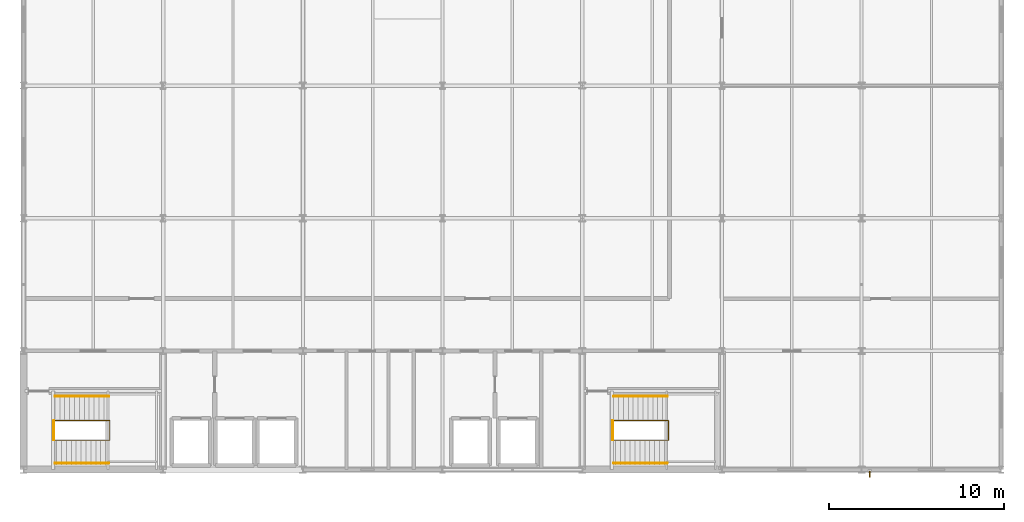
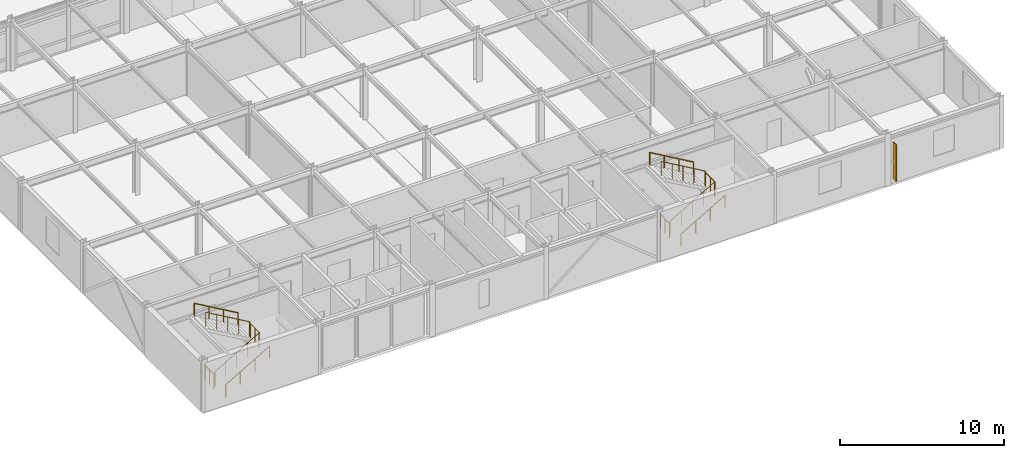
# One storey, part 16 of 17: 8 railings, 1 shading device.
"""IFC4 building model written with IfcOpenShell, lengths in metres."""

import ifcopenshell
import ifcopenshell.guid

model = None  # the IFC model being written
_history = None  # IfcOwnerHistory: only IFC2X3 demands one
_inside = {}  # id of a spatial element -> (the spatial element, [elements in it])
_under = {}  # id of a project, library or spatial element -> (it, [spatial elements below it])
_declared = {}  # id of a project -> (the project, [libraries it declares])
_typed = {}  # id of a type object -> (the type object, [elements of that type])
_made_of = {}  # id of a material, layer set ... -> (it, [elements and type objects made of it])


def new_model(schema):
    """Start an empty IFC model of exactly this schema.

    Asked for "IFC4X3", IfcOpenShell would pick the latest addendum, in which some entities
    have other attributes; the version numbers below select the first issue.
    IFC2X3 requires an IfcOwnerHistory on every rooted entity: one is made here for all.
    """
    global model, _history
    if schema == "IFC4X3":
        model = ifcopenshell.file(schema_version=(4, 3, 0, 0))
    else:
        model = ifcopenshell.file(schema=schema)
    _inside.clear()
    _under.clear()
    _declared.clear()
    _typed.clear()
    _made_of.clear()
    _history = None
    if model.schema == "IFC2X3":
        org = make("IfcOrganization", Name="unknown")
        user = make(
            "IfcPersonAndOrganization",
            ThePerson=make("IfcPerson", FamilyName="unknown"),
            TheOrganization=org,
        )
        app = make(
            "IfcApplication",
            ApplicationDeveloper=org,
            Version="unknown",
            ApplicationFullName="unknown",
            ApplicationIdentifier="unknown",
        )
        _history = make(
            "IfcOwnerHistory",
            OwningUser=user,
            OwningApplication=app,
            ChangeAction="ADDED",
            CreationDate=0,
        )
    return model


def make(cls, **values):
    """One entity of the class cls with the attributes given. An attribute that is None is left unset."""
    return model.create_entity(
        cls, **{name: value for name, value in values.items() if value is not None}
    )


def rooted(cls, **values):
    """An entity with a GlobalId (a new one), such as an element, a storey or a relation."""
    return make(cls, GlobalId=ifcopenshell.guid.new(), OwnerHistory=_history, **values)


def si_unit(unit_type, name, prefix=None):
    """IfcSIUnit, for example si_unit("LENGTHUNIT", "METRE", prefix="MILLI")."""
    return make("IfcSIUnit", UnitType=unit_type, Prefix=prefix, Name=name)


def assignment(units):
    """IfcUnitAssignment: the units of a project."""
    return None if units is None else make("IfcUnitAssignment", Units=units)


def point(xyz):
    """IfcCartesianPoint."""
    return None if xyz is None else make("IfcCartesianPoint", Coordinates=xyz)


def direction(xyz):
    """IfcDirection."""
    return None if xyz is None else make("IfcDirection", DirectionRatios=xyz)


def frame(location, z_axis=None, x_axis=None):
    """IfcAxis2Placement3D, a coordinate frame: its origin and axes. An axis left out is left unset."""
    return make(
        "IfcAxis2Placement3D",
        Location=point(location),
        Axis=direction(z_axis),
        RefDirection=direction(x_axis),
    )


def frame_2d(location, x_axis=None):
    """IfcAxis2Placement2D, a coordinate frame in the plane: its origin and x axis."""
    return make(
        "IfcAxis2Placement2D", Location=point(location), RefDirection=direction(x_axis)
    )


def origin():
    """The frame at (0, 0, 0) with its axes left unset."""
    return frame((0.0, 0.0, 0.0))


def origin_2d():
    """The frame at (0, 0) in the plane with its x axis left unset."""
    return frame_2d((0.0, 0.0))


def place(relative_to, where):
    """IfcLocalPlacement: puts the frame where relative to a parent placement (None: the world)."""
    return make(
        "IfcLocalPlacement", PlacementRelTo=relative_to, RelativePlacement=where
    )


def context(
    kind, dimensions, precision=None, world=None, true_north=None, identifier=None
):
    """IfcGeometricRepresentationContext, for example the 3D "Model" context."""
    return make(
        "IfcGeometricRepresentationContext",
        ContextIdentifier=identifier,
        ContextType=kind,
        CoordinateSpaceDimension=dimensions,
        Precision=precision,
        WorldCoordinateSystem=world,
        TrueNorth=true_north,
    )


def subcontext(parent, identifier, kind, view, scale=None):
    """IfcGeometricRepresentationSubContext, for example "Body" below "Model"."""
    return make(
        "IfcGeometricRepresentationSubContext",
        ContextIdentifier=identifier,
        ContextType=kind,
        ParentContext=parent,
        TargetScale=scale,
        TargetView=view,
    )


def project(units=None, contexts=None):
    """IfcProject with its units and contexts."""
    return rooted(
        "IfcProject",
        Name="project",
        RepresentationContexts=contexts,
        UnitsInContext=assignment(units),
    )


def spatial(cls, under=None, at=None, **own):
    """A site, building, storey or space (cls), placed at a placement, below another one or the project."""
    s = rooted(cls, ObjectPlacement=at, **own)
    if under is not None:
        _under.setdefault(under.id(), (under, []))[1].append(s)
    return s


def profile(cls, at=None, kind="AREA", **sizes):
    """A parametric profile (cls). Its sizes go by their IFC names, for example OverallWidth=200.0."""
    return make(cls, ProfileType=kind, Position=at, **sizes)


def rectangle(**sizes):
    """IfcRectangleProfileDef."""
    return profile("IfcRectangleProfileDef", **sizes)


def circle(**sizes):
    """IfcCircleProfileDef."""
    return profile("IfcCircleProfileDef", **sizes)


def extrude(swept, where, along, depth):
    """IfcExtrudedAreaSolid: the profile swept, set in the frame where, extruded along a direction by depth."""
    return make(
        "IfcExtrudedAreaSolid",
        SweptArea=swept,
        Position=where,
        ExtrudedDirection=direction(along),
        Depth=depth,
    )


def shape(context_of_items, identifier, shape_type, items):
    """IfcShapeRepresentation: the items that make up one representation, for example the "Body"."""
    return make(
        "IfcShapeRepresentation",
        ContextOfItems=context_of_items,
        RepresentationIdentifier=identifier,
        RepresentationType=shape_type,
        Items=items,
    )


def material(Name=None, Category=None):
    """IfcMaterial."""
    return make("IfcMaterial", Name=Name, Category=Category)


def layer(
    of_material, thickness, ventilated=None, Name=None, Category=None, Priority=None
):
    """IfcMaterialLayer: one layer of a wall or slab, of a material (None: an air gap)."""
    return make(
        "IfcMaterialLayer",
        Material=of_material,
        LayerThickness=thickness,
        IsVentilated=ventilated,
        Name=Name,
        Category=Category,
        Priority=Priority,
    )


def layer_set(layers, Name=None):
    """IfcMaterialLayerSet."""
    return make("IfcMaterialLayerSet", MaterialLayers=layers, LayerSetName=Name)


def made_of(thing, what):
    """Note that an element or type object is made of a material, layer set ...; save() writes the relation."""
    if what is not None:
        _made_of.setdefault(what.id(), (what, []))[1].append(thing)
    return thing


def type_object(cls, material=None, **own):
    """A type object (cls), such as IfcWallType, which elements share."""
    return made_of(rooted(cls, **own), material)


def element(
    cls,
    number,
    at=None,
    inside=None,
    cuts=None,
    type_object=None,
    material=None,
    context=None,
    identifier="Body",
    shape_type=None,
    held_by="IfcProductDefinitionShape",
    body=None,
    shapes=None,
    **own,
):
    """One element of the class cls, such as IfcWall. Its Tag is "e" and its number.

    at: its placement. inside: the storey or other place that contains it. cuts: it is an
    opening in that element (IfcRelVoidsElement). A single representation is given by context,
    identifier, shape_type and body (its items); several are given by shapes. held_by: the class
    of the entity that holds the representations. save() writes the other relations.
    """
    e = rooted(cls, Tag="e%d" % number, ObjectPlacement=at, **own)
    if body is not None:
        shapes = [shape(context, identifier, shape_type, body)]
    if shapes is not None:
        e.Representation = make(held_by, Representations=shapes)
    if inside is not None:
        _inside.setdefault(inside.id(), (inside, []))[1].append(e)
    if cuts is not None:
        rooted(
            "IfcRelVoidsElement", RelatingBuildingElement=cuts, RelatedOpeningElement=e
        )
    if type_object is not None:
        _typed.setdefault(type_object.id(), (type_object, []))[1].append(e)
    return made_of(e, material)


def aggregate(whole, parts):
    """IfcRelAggregates: a whole, such as a stair, and the parts it consists of."""
    return rooted("IfcRelAggregates", RelatingObject=whole, RelatedObjects=parts)


def save(model, path):
    """Write the relations noted so far, then the file.

    IfcRelAggregates (storeys below a building ...), IfcRelContainedInSpatialStructure (elements
    in a storey), IfcRelDefinesByType, IfcRelAssociatesMaterial and IfcRelDeclares: one each for
    every whole, place, type object, material and project.
    """
    for whole, parts in _under.values():
        aggregate(whole, parts)
    for where, things in _inside.values():
        rooted(
            "IfcRelContainedInSpatialStructure",
            RelatedElements=things,
            RelatingStructure=where,
        )
    for kind, things in _typed.values():
        rooted("IfcRelDefinesByType", RelatedObjects=things, RelatingType=kind)
    for what, things in _made_of.values():
        rooted("IfcRelAssociatesMaterial", RelatedObjects=things, RelatingMaterial=what)
    for by, libraries in _declared.values():
        rooted("IfcRelDeclares", RelatingContext=by, RelatedDefinitions=libraries)
    model.write(path)


model = new_model("IFC4")

# Units and contexts
model_context = context("Model", 3, precision=1e-05, world=origin(), true_north=direction((0.0, 1.0)))
body_context = subcontext(model_context, "Body", "Model", "MODEL_VIEW")
ifc_project = project(units=[si_unit("LENGTHUNIT", "METRE"), si_unit("AREAUNIT", "SQUARE_METRE"), si_unit("VOLUMEUNIT", "CUBIC_METRE"), si_unit("PLANEANGLEUNIT", "RADIAN"), si_unit("MASSUNIT", "GRAM", prefix="KILO")], contexts=[model_context])

# Site, building, storey
site_placement = place(None, origin())
site = spatial("IfcSite", under=ifc_project, at=site_placement, CompositionType="ELEMENT")
building_placement = place(site_placement, origin())
building = spatial("IfcBuilding", under=site, at=building_placement, Name="Shalkamar Park Central Library", CompositionType="ELEMENT")
storey_placement = place(building_placement, frame((0.0, 0.0, 36.0)))
storey = spatial("IfcBuildingStorey", under=building, at=storey_placement, Name="L09", CompositionType="ELEMENT", Elevation=36.0)

# Shading device
ifc_material_1 = material(Name="Anodized bronze aluminium solar fin", Category="aluminium")
ifc_layer = layer(ifc_material_1, 0.06005859375)
ifc_layer_set = layer_set([ifc_layer], Name="BronzeSolarLouvreBlade")
shading_device_type = type_object("IfcShadingDeviceType", Name="Bronze Solar Louvre Blade", PredefinedType="SHUTTER", material=ifc_layer_set)
shading_device_placement = place(storey_placement, frame((213.4560546875, 248.139892578125, 0.300048828125), z_axis=(0.0, 0.0, 1.0), x_axis=(1.0, 0.0, 0.0)))
element("IfcShadingDevice", 1, at=shading_device_placement, inside=storey, type_object=shading_device_type, Name="Vertical Solar Fin L09-013", PredefinedType="SHUTTER", context=body_context, shape_type="SweptSolid", body=[
    extrude(rectangle(XDim=0.06005859375, YDim=0.35009765625, at=origin_2d()), origin(), (0.0, 0.0, 1.0), 2.76806640625),
])

# Railings
ifc_material_2 = material(Name="Steel S355", Category="steel")
railing_type_1 = type_object("IfcRailingType", Name="Stair Guardrail 1100", PredefinedType="GUARDRAIL", material=ifc_material_2)
railing_1_placement = place(storey_placement, frame((166.800048828125, 250.090087890625, 0.16259765625)))
element("IfcRailing", 2, at=railing_1_placement, inside=storey, type_object=railing_type_1, Name="Stair Inner Well Guardrail ST-T1-L09", PredefinedType="GUARDRAIL", context=body_context, shape_type="SweptSolid", body=[
    extrude(circle(Radius=0.02392578125, at=origin_2d()), frame((0.0, 0.0, 1.076171875), z_axis=(0.864903211148, 0.0, 0.501938676878), x_axis=(0.0, 1.0, 0.0)), (0.0, 0.0, 1.0), 3.560791015625),
    extrude(circle(Radius=0.02392578125, at=origin_2d()), frame((3.079833984375, 0.0, 2.86328125), z_axis=(1.0, 0.0, 0.0), x_axis=(0.0, 1.0, 0.0)), (0.0, 0.0, 1.0), 0.06005859375),
    extrude(circle(Radius=0.02392578125, at=origin_2d()), frame((3.139892578125, 0.0, 2.86328125), z_axis=(0.0, 1.0, 0.0), x_axis=(-1.0, 0.0, 0.0)), (0.0, 0.0, 1.0), 1.119873046875),
    extrude(circle(Radius=0.02392578125, at=origin_2d()), frame((3.139892578125, 1.119873046875, 2.86328125), z_axis=(-0.346488496144, 0.0, 0.938054221269), x_axis=(0.0, -1.0, 0.0)), (0.0, 0.0, 1.0), 0.17333984375),
    extrude(circle(Radius=0.02392578125, at=origin_2d()), frame((3.079833984375, 1.119873046875, 3.02587890625), z_axis=(-0.864903211148, 0.0, 0.501938676878), x_axis=(0.0, -1.0, 0.0)), (0.0, 0.0, 1.0), 3.560791015625),
    extrude(circle(Radius=0.02099609375, at=origin_2d()), origin(), (0.0, 0.0, 1.0), 1.052001953125),
    extrude(circle(Radius=0.02099609375, at=origin_2d()), frame((0.77001953125, 0.0, 0.44677734375)), (0.0, 0.0, 1.0), 1.052001953125),
    extrude(circle(Radius=0.02099609375, at=origin_2d()), frame((1.5400390625, 0.0, 0.8935546875)), (0.0, 0.0, 1.0), 1.052001953125),
    extrude(circle(Radius=0.02099609375, at=origin_2d()), frame((2.309814453125, 0.0, 1.340576171875)), (0.0, 0.0, 1.0), 1.052001953125),
    extrude(circle(Radius=0.02099609375, at=origin_2d()), frame((3.079833984375, 0.0, 1.787353515625)), (0.0, 0.0, 1.0), 1.052001953125),
    extrude(circle(Radius=0.02099609375, at=origin_2d()), frame((3.139892578125, 0.0, 1.787353515625)), (0.0, 0.0, 1.0), 1.052001953125),
    extrude(circle(Radius=0.02099609375, at=origin_2d()), frame((3.139892578125, 0.56005859375, 1.787353515625)), (0.0, 0.0, 1.0), 1.052001953125),
    extrude(circle(Radius=0.02099609375, at=origin_2d()), frame((3.139892578125, 1.119873046875, 1.787353515625)), (0.0, 0.0, 1.0), 1.052001953125),
    extrude(circle(Radius=0.02099609375, at=origin_2d()), frame((3.079833984375, 1.119873046875, 1.949951171875)), (0.0, 0.0, 1.0), 1.052001953125),
    extrude(circle(Radius=0.02099609375, at=origin_2d()), frame((2.309814453125, 1.119873046875, 2.396728515625)), (0.0, 0.0, 1.0), 1.052001953125),
    extrude(circle(Radius=0.02099609375, at=origin_2d()), frame((1.5400390625, 1.119873046875, 2.84375)), (0.0, 0.0, 1.0), 1.052001953125),
    extrude(circle(Radius=0.02099609375, at=origin_2d()), frame((0.77001953125, 1.119873046875, 3.29052734375)), (0.0, 0.0, 1.0), 1.052001953125),
    extrude(circle(Radius=0.02099609375, at=origin_2d()), frame((0.0, 1.119873046875, 3.7373046875)), (0.0, 0.0, 1.0), 1.052001953125),
])
railing_2_placement = place(storey_placement, frame((166.739990234375, 250.10009765625, 0.0)))
element("IfcRailing", 3, at=railing_2_placement, inside=storey, type_object=railing_type_1, Name="Stair Arrival Well Guardrail ST-T1 (L09)", PredefinedType="GUARDRAIL", context=body_context, shape_type="SweptSolid", body=[
    extrude(circle(Radius=0.02392578125, at=origin_2d()), frame((0.0, 0.0, 1.076171875), z_axis=(0.0, 1.0, 0.0), x_axis=(-1.0, 0.0, 0.0)), (0.0, 0.0, 1.0), 1.099853515625),
    extrude(circle(Radius=0.02099609375, at=origin_2d()), origin(), (0.0, 0.0, 1.0), 1.052001953125),
    extrude(circle(Radius=0.02099609375, at=origin_2d()), frame((0.0, 0.5498046875, 0.0)), (0.0, 0.0, 1.0), 1.052001953125),
    extrude(circle(Radius=0.02099609375, at=origin_2d()), frame((0.0, 1.099853515625, 0.0)), (0.0, 0.0, 1.0), 1.052001953125),
])
railing_3_placement = place(storey_placement, frame((198.800048828125, 250.090087890625, 0.16259765625)))
element("IfcRailing", 4, at=railing_3_placement, inside=storey, type_object=railing_type_1, Name="Stair Inner Well Guardrail ST-T2-L09", PredefinedType="GUARDRAIL", context=body_context, shape_type="SweptSolid", body=[
    extrude(circle(Radius=0.02392578125, at=origin_2d()), frame((0.0, 0.0, 1.076171875), z_axis=(0.864903211148, 0.0, 0.501938676878), x_axis=(0.0, 1.0, 0.0)), (0.0, 0.0, 1.0), 3.560791015625),
    extrude(circle(Radius=0.02392578125, at=origin_2d()), frame((3.079833984375, 0.0, 2.86328125), z_axis=(1.0, 0.0, 0.0), x_axis=(0.0, 1.0, 0.0)), (0.0, 0.0, 1.0), 0.06005859375),
    extrude(circle(Radius=0.02392578125, at=origin_2d()), frame((3.139892578125, 0.0, 2.86328125), z_axis=(0.0, 1.0, 0.0), x_axis=(-1.0, 0.0, 0.0)), (0.0, 0.0, 1.0), 1.119873046875),
    extrude(circle(Radius=0.02392578125, at=origin_2d()), frame((3.139892578125, 1.119873046875, 2.86328125), z_axis=(-0.346488496144, 0.0, 0.938054221269), x_axis=(0.0, -1.0, 0.0)), (0.0, 0.0, 1.0), 0.17333984375),
    extrude(circle(Radius=0.02392578125, at=origin_2d()), frame((3.079833984375, 1.119873046875, 3.02587890625), z_axis=(-0.864903211148, 0.0, 0.501938676878), x_axis=(0.0, -1.0, 0.0)), (0.0, 0.0, 1.0), 3.560791015625),
    extrude(circle(Radius=0.02099609375, at=origin_2d()), origin(), (0.0, 0.0, 1.0), 1.052001953125),
    extrude(circle(Radius=0.02099609375, at=origin_2d()), frame((0.77001953125, 0.0, 0.44677734375)), (0.0, 0.0, 1.0), 1.052001953125),
    extrude(circle(Radius=0.02099609375, at=origin_2d()), frame((1.5400390625, 0.0, 0.8935546875)), (0.0, 0.0, 1.0), 1.052001953125),
    extrude(circle(Radius=0.02099609375, at=origin_2d()), frame((2.309814453125, 0.0, 1.340576171875)), (0.0, 0.0, 1.0), 1.052001953125),
    extrude(circle(Radius=0.02099609375, at=origin_2d()), frame((3.079833984375, 0.0, 1.787353515625)), (0.0, 0.0, 1.0), 1.052001953125),
    extrude(circle(Radius=0.02099609375, at=origin_2d()), frame((3.139892578125, 0.0, 1.787353515625)), (0.0, 0.0, 1.0), 1.052001953125),
    extrude(circle(Radius=0.02099609375, at=origin_2d()), frame((3.139892578125, 0.56005859375, 1.787353515625)), (0.0, 0.0, 1.0), 1.052001953125),
    extrude(circle(Radius=0.02099609375, at=origin_2d()), frame((3.139892578125, 1.119873046875, 1.787353515625)), (0.0, 0.0, 1.0), 1.052001953125),
    extrude(circle(Radius=0.02099609375, at=origin_2d()), frame((3.079833984375, 1.119873046875, 1.949951171875)), (0.0, 0.0, 1.0), 1.052001953125),
    extrude(circle(Radius=0.02099609375, at=origin_2d()), frame((2.309814453125, 1.119873046875, 2.396728515625)), (0.0, 0.0, 1.0), 1.052001953125),
    extrude(circle(Radius=0.02099609375, at=origin_2d()), frame((1.5400390625, 1.119873046875, 2.84375)), (0.0, 0.0, 1.0), 1.052001953125),
    extrude(circle(Radius=0.02099609375, at=origin_2d()), frame((0.77001953125, 1.119873046875, 3.29052734375)), (0.0, 0.0, 1.0), 1.052001953125),
    extrude(circle(Radius=0.02099609375, at=origin_2d()), frame((0.0, 1.119873046875, 3.7373046875)), (0.0, 0.0, 1.0), 1.052001953125),
])
railing_4_placement = place(storey_placement, frame((198.739990234375, 250.10009765625, 0.0)))
element("IfcRailing", 5, at=railing_4_placement, inside=storey, type_object=railing_type_1, Name="Stair Arrival Well Guardrail ST-T2 (L09)", PredefinedType="GUARDRAIL", context=body_context, shape_type="SweptSolid", body=[
    extrude(circle(Radius=0.02392578125, at=origin_2d()), frame((0.0, 0.0, 1.076171875), z_axis=(0.0, 1.0, 0.0), x_axis=(-1.0, 0.0, 0.0)), (0.0, 0.0, 1.0), 1.099853515625),
    extrude(circle(Radius=0.02099609375, at=origin_2d()), origin(), (0.0, 0.0, 1.0), 1.052001953125),
    extrude(circle(Radius=0.02099609375, at=origin_2d()), frame((0.0, 0.5498046875, 0.0)), (0.0, 0.0, 1.0), 1.052001953125),
    extrude(circle(Radius=0.02099609375, at=origin_2d()), frame((0.0, 1.099853515625, 0.0)), (0.0, 0.0, 1.0), 1.052001953125),
])
railing_type_2 = type_object("IfcRailingType", Name="Stair Pitched Handrail 920", PredefinedType="HANDRAIL", material=ifc_material_2)
railing_5_placement = place(storey_placement, frame((166.800048828125, 248.780029296875, 0.16259765625)))
element("IfcRailing", 6, at=railing_5_placement, inside=storey, type_object=railing_type_2, Name="Stair Wall Handrail ST-T1-L09 Flight 1", PredefinedType="HANDRAIL", context=body_context, shape_type="SweptSolid", body=[
    extrude(circle(Radius=0.02392578125, at=origin_2d()), frame((0.0, 0.0, 0.89599609375), z_axis=(0.864903211148, 0.0, 0.501938676878), x_axis=(0.0, 1.0, 0.0)), (0.0, 0.0, 1.0), 3.560791015625),
    extrude(circle(Radius=0.02099609375, at=origin_2d()), origin(), (0.0, 0.0, 1.0), 0.871826171875),
    extrude(circle(Radius=0.02099609375, at=origin_2d()), frame((1.026611328125, 0.0, 0.595703125)), (0.0, 0.0, 1.0), 0.871826171875),
    extrude(circle(Radius=0.02099609375, at=origin_2d()), frame((2.05322265625, 0.0, 1.191650390625)), (0.0, 0.0, 1.0), 0.871826171875),
    extrude(circle(Radius=0.02099609375, at=origin_2d()), frame((3.079833984375, 0.0, 1.787353515625)), (0.0, 0.0, 1.0), 0.871826171875),
])
railing_6_placement = place(storey_placement, frame((169.8798828125, 252.60009765625, 2.112548828125)))
element("IfcRailing", 7, at=railing_6_placement, inside=storey, type_object=railing_type_2, Name="Stair Wall Handrail ST-T1-L09 Flight 2", PredefinedType="HANDRAIL", context=body_context, shape_type="SweptSolid", body=[
    extrude(circle(Radius=0.02392578125, at=origin_2d()), frame((0.0, 0.0, 0.89599609375), z_axis=(-0.864903211148, 0.0, 0.501938676878), x_axis=(0.0, -1.0, 0.0)), (0.0, 0.0, 1.0), 3.560791015625),
    extrude(circle(Radius=0.02099609375, at=origin_2d()), origin(), (0.0, 0.0, 1.0), 0.871826171875),
    extrude(circle(Radius=0.02099609375, at=origin_2d()), frame((-1.026611328125, 0.0, 0.595703125)), (0.0, 0.0, 1.0), 0.871826171875),
    extrude(circle(Radius=0.02099609375, at=origin_2d()), frame((-2.05322265625, 0.0, 1.191650390625)), (0.0, 0.0, 1.0), 0.871826171875),
    extrude(circle(Radius=0.02099609375, at=origin_2d()), frame((-3.079833984375, 0.0, 1.787353515625)), (0.0, 0.0, 1.0), 0.871826171875),
])
railing_7_placement = place(storey_placement, frame((198.800048828125, 248.780029296875, 0.16259765625)))
element("IfcRailing", 8, at=railing_7_placement, inside=storey, type_object=railing_type_2, Name="Stair Wall Handrail ST-T2-L09 Flight 1", PredefinedType="HANDRAIL", context=body_context, shape_type="SweptSolid", body=[
    extrude(circle(Radius=0.02392578125, at=origin_2d()), frame((0.0, 0.0, 0.89599609375), z_axis=(0.864903211148, 0.0, 0.501938676878), x_axis=(0.0, 1.0, 0.0)), (0.0, 0.0, 1.0), 3.560791015625),
    extrude(circle(Radius=0.02099609375, at=origin_2d()), origin(), (0.0, 0.0, 1.0), 0.871826171875),
    extrude(circle(Radius=0.02099609375, at=origin_2d()), frame((1.026611328125, 0.0, 0.595703125)), (0.0, 0.0, 1.0), 0.871826171875),
    extrude(circle(Radius=0.02099609375, at=origin_2d()), frame((2.05322265625, 0.0, 1.191650390625)), (0.0, 0.0, 1.0), 0.871826171875),
    extrude(circle(Radius=0.02099609375, at=origin_2d()), frame((3.079833984375, 0.0, 1.787353515625)), (0.0, 0.0, 1.0), 0.871826171875),
])
railing_8_placement = place(storey_placement, frame((201.8798828125, 252.60009765625, 2.112548828125)))
element("IfcRailing", 9, at=railing_8_placement, inside=storey, type_object=railing_type_2, Name="Stair Wall Handrail ST-T2-L09 Flight 2", PredefinedType="HANDRAIL", context=body_context, shape_type="SweptSolid", body=[
    extrude(circle(Radius=0.02392578125, at=origin_2d()), frame((0.0, 0.0, 0.89599609375), z_axis=(-0.864903211148, 0.0, 0.501938676878), x_axis=(0.0, -1.0, 0.0)), (0.0, 0.0, 1.0), 3.560791015625),
    extrude(circle(Radius=0.02099609375, at=origin_2d()), origin(), (0.0, 0.0, 1.0), 0.871826171875),
    extrude(circle(Radius=0.02099609375, at=origin_2d()), frame((-1.026611328125, 0.0, 0.595703125)), (0.0, 0.0, 1.0), 0.871826171875),
    extrude(circle(Radius=0.02099609375, at=origin_2d()), frame((-2.05322265625, 0.0, 1.191650390625)), (0.0, 0.0, 1.0), 0.871826171875),
    extrude(circle(Radius=0.02099609375, at=origin_2d()), frame((-3.079833984375, 0.0, 1.787353515625)), (0.0, 0.0, 1.0), 0.871826171875),
])

save(model, "model.ifc")
